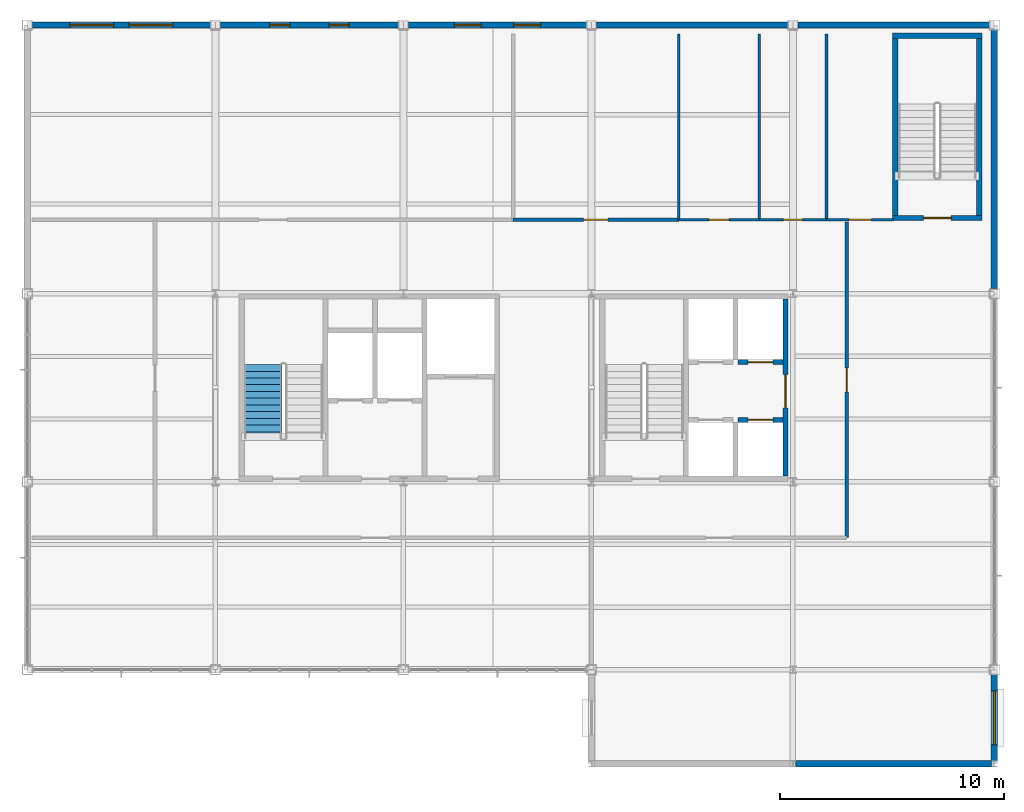
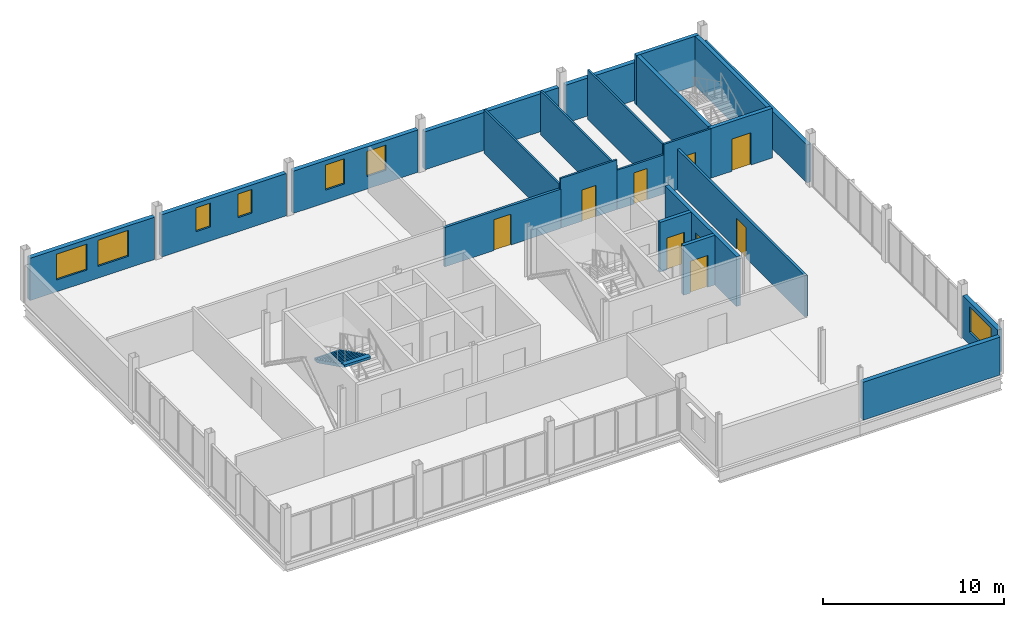
# One storey, part 13 of 16: 23 walls, 9 doors, 7 windows, 1 stair flight, 16 openings, 1 element without a shape of its own.
"""IFC4 building model written with IfcOpenShell, lengths in metres."""

from ifc_helpers import new_model, si_unit, direction, frame, frame_2d, origin, place, context, subcontext, project, spatial, polyline, rectangle, outline, extrude, material, layer, layer_set, type_object, element, fill, aggregate, save


model = new_model("IFC4")

# Units and contexts
model_context = context("Model", 3, precision=1e-05, world=origin(), true_north=direction((0.0, 1.0)))
body_context = subcontext(model_context, "Body", "Model", "MODEL_VIEW")
ifc_project = project(units=[si_unit("LENGTHUNIT", "METRE"), si_unit("AREAUNIT", "SQUARE_METRE"), si_unit("VOLUMEUNIT", "CUBIC_METRE"), si_unit("PLANEANGLEUNIT", "RADIAN"), si_unit("MASSUNIT", "GRAM", prefix="KILO")], contexts=[model_context])

# Site, building, storey
site_placement = place(None, origin())
site = spatial("IfcSite", under=ifc_project, at=site_placement, CompositionType="ELEMENT")
building_placement = place(site_placement, origin())
building = spatial("IfcBuilding", under=site, at=building_placement, Name="Yukiwa Park Conservatory and Herbarium", CompositionType="ELEMENT")
storey_placement = place(building_placement, frame((0.0, 0.0, 43.199951171875)))
storey = spatial("IfcBuildingStorey", under=building, at=storey_placement, Name="L11", CompositionType="ELEMENT", Elevation=43.199951171875)

# Wall, opening, door
ifc_material_1 = material(Name="Concrete C40", Category="concrete")
ifc_layer_1 = layer(ifc_material_1, 0.219970703125)
ifc_layer_set_1 = layer_set([ifc_layer_1], Name="Concrete C40")
wall_type_1 = type_object("IfcWallType", Name="WL-CORE-RC220", PredefinedType="SHEAR", material=ifc_layer_set_1)
wall_1_placement = place(storey_placement, frame((156.550048828125, 100.139892578125, 0.0), z_axis=(0.0, 0.0, 1.0), x_axis=(1.0, 0.0, 0.0)))
wall_1 = element("IfcWall", 1, at=wall_1_placement, inside=storey, type_object=wall_type_1, Name="L11 core shear wall 680", PredefinedType="SHEAR", context=body_context, shape_type="SweptSolid", body=[
    extrude(rectangle(XDim=2.0, YDim=0.219970703125, at=frame_2d((1.0, 0.0))), origin(), (0.0, 0.0, 1.0), 3.35400390625),
])
opening_1_placement = place(wall_1_placement, frame((0.449951171875, 0.0, 0.0)))
opening_1 = element("IfcOpeningElement", 2, at=opening_1_placement, cuts=wall_1, Name="Opening LD-01", PredefinedType="OPENING", context=body_context, shape_type="SweptSolid", body=[
    extrude(rectangle(XDim=1.10009765625, YDim=2.14990234375, at=frame_2d((0.550048828125, 1.074951171875))), frame((0.0, 0.1201171875, 0.0), z_axis=(0.0, -1.0, 0.0), x_axis=(1.0, 0.0, 0.0)), (0.0, 0.0, 1.0), 0.239990234375),
])
ifc_material_2 = material(Name="Steel Q235B", Category="steel")
door_type_1 = type_object("IfcDoorType", Name="DR-LIFT-LD1100", OperationType="SLIDING_TO_LEFT", PredefinedType="DOOR", material=ifc_material_2)
door_1_placement = place(opening_1_placement, origin())
door_1 = element("IfcDoor", 3, at=door_1_placement, inside=storey, type_object=door_type_1, Name="L11 Passenger Lift LP2 sliding landing door", OperationType="SLIDING_TO_LEFT", OverallHeight=2.14990234375, OverallWidth=1.10009765625, PredefinedType="DOOR", context=body_context, shape_type="SweptSolid", body=[
    extrude(rectangle(XDim=1.10009765625, YDim=2.14990234375, at=frame_2d((0.550048828125, 1.074951171875))), frame((0.0, 0.02490234375, 0.0), z_axis=(0.0, -1.0, 0.0), x_axis=(1.0, 0.0, 0.0)), (0.0, 0.0, 1.0), 0.050048828125),
])
fill(opening_1, door_1)

wall_2_placement = place(storey_placement, frame((156.550048828125, 97.56005859375, 0.0), z_axis=(0.0, 0.0, 1.0), x_axis=(1.0, 0.0, 0.0)))
wall_2 = element("IfcWall", 4, at=wall_2_placement, inside=storey, type_object=wall_type_1, Name="L11 core shear wall 683", PredefinedType="SHEAR", context=body_context, shape_type="SweptSolid", body=[
    extrude(rectangle(XDim=2.0, YDim=0.219970703125, at=frame_2d((1.0, 0.0))), origin(), (0.0, 0.0, 1.0), 3.35400390625),
])
opening_2_placement = place(wall_2_placement, frame((0.449951171875, 0.0, 0.0)))
opening_2 = element("IfcOpeningElement", 5, at=opening_2_placement, cuts=wall_2, Name="Opening LD-01", PredefinedType="OPENING", context=body_context, shape_type="SweptSolid", body=[
    extrude(rectangle(XDim=1.10009765625, YDim=2.14990234375, at=frame_2d((0.550048828125, 1.074951171875))), frame((0.0, 0.1201171875, 0.0), z_axis=(0.0, -1.0, 0.0), x_axis=(1.0, 0.0, 0.0)), (0.0, 0.0, 1.0), 0.239990234375),
])
door_2_placement = place(opening_2_placement, origin())
door_2 = element("IfcDoor", 6, at=door_2_placement, inside=storey, type_object=door_type_1, Name="L11 Passenger Lift LP4 sliding landing door", OperationType="SLIDING_TO_LEFT", OverallHeight=2.14990234375, OverallWidth=1.10009765625, PredefinedType="DOOR", context=body_context, shape_type="SweptSolid", body=[
    extrude(rectangle(XDim=1.10009765625, YDim=2.14990234375, at=frame_2d((0.550048828125, 1.074951171875))), frame((0.0, 0.02490234375, 0.0), z_axis=(0.0, -1.0, 0.0), x_axis=(1.0, 0.0, 0.0)), (0.0, 0.0, 1.0), 0.050048828125),
])
fill(opening_2, door_2)

ifc_material_3 = material(Name="Concrete C50", Category="concrete")
ifc_layer_2 = layer(ifc_material_3, 0.239990234375)
ifc_layer_set_2 = layer_set([ifc_layer_2], Name="Concrete C50")
wall_type_2 = type_object("IfcWallType", Name="WL-CORE-RC240", PredefinedType="SHEAR", material=ifc_layer_set_2)
wall_3_placement = place(storey_placement, frame((158.669921875, 95.050048828125, 0.0), z_axis=(0.0, 0.0, 1.0), x_axis=(0.0, 1.0, 0.0)))
wall_3 = element("IfcWall", 7, at=wall_3_placement, inside=storey, type_object=wall_type_2, Name="L11 core shear wall 677", PredefinedType="SHEAR", context=body_context, shape_type="SweptSolid", body=[
    extrude(rectangle(XDim=7.89990234375, YDim=0.239990234375, at=frame_2d((3.949951171875, 0.0))), origin(), (0.0, 0.0, 1.0), 3.35400390625),
])
opening_3_placement = place(wall_3_placement, frame((3.050048828125, 0.0, 0.0)))
opening_3 = element("IfcOpeningElement", 8, at=opening_3_placement, cuts=wall_3, Name="Opening FD-07", PredefinedType="OPENING", context=body_context, shape_type="SweptSolid", body=[
    extrude(rectangle(XDim=1.47998046875, YDim=2.219970703125, at=frame_2d((0.739990234375, 1.10986328125))), frame((0.0, 0.1298828125, 0.0), z_axis=(0.0, -1.0, 0.0), x_axis=(1.0, 0.0, 0.0)), (0.0, 0.0, 1.0), 0.260009765625),
])
ifc_material_4 = material(Name="Steel Q235B", Category="steel")
door_type_2 = type_object("IfcDoorType", Name="DR-FIRE-FD60-1500", OperationType="DOUBLE_DOOR_SINGLE_SWING", PredefinedType="DOOR", material=ifc_material_4)
door_3_placement = place(opening_3_placement, origin())
door_3 = element("IfcDoor", 9, at=door_3_placement, inside=storey, type_object=door_type_2, Name="L11 Tower Passenger Lift Lobby double fire door", OperationType="DOUBLE_DOOR_SINGLE_SWING", OverallHeight=2.219970703125, OverallWidth=1.47998046875, PredefinedType="DOOR", context=body_context, shape_type="SweptSolid", body=[
    extrude(rectangle(XDim=1.47998046875, YDim=2.219970703125, at=frame_2d((0.739990234375, 1.10986328125))), frame((0.0, 0.02490234375, 0.0), z_axis=(0.0, -1.0, 0.0), x_axis=(1.0, 0.0, 0.0)), (0.0, 0.0, 1.0), 0.050048828125),
])
fill(opening_3, door_3)

wall_4_placement = place(storey_placement, frame((163.449951171875, 106.580078125, 0.0), z_axis=(0.0, 0.0, 1.0), x_axis=(1.0, 0.0, 0.0)))
wall_4 = element("IfcWall", 10, at=wall_4_placement, inside=storey, type_object=wall_type_2, Name="L11 core shear wall 684", PredefinedType="SHEAR", context=body_context, shape_type="SweptSolid", body=[
    extrude(rectangle(XDim=3.989990234375, YDim=0.239990234375, at=frame_2d((1.9951171875, 0.0))), origin(), (0.0, 0.0, 1.0), 3.35400390625),
])
opening_4_placement = place(wall_4_placement, frame((1.39501953125, 0.0, 0.0)))
opening_4 = element("IfcOpeningElement", 11, at=opening_4_placement, cuts=wall_4, Name="Opening SD-01", PredefinedType="OPENING", context=body_context, shape_type="SweptSolid", body=[
    extrude(rectangle(XDim=1.219970703125, YDim=2.179931640625, at=frame_2d((0.60986328125, 1.08984375))), frame((0.0, 0.1298828125, 0.0), z_axis=(0.0, -1.0, 0.0), x_axis=(1.0, 0.0, 0.0)), (0.0, 0.0, 1.0), 0.260009765625),
])
ifc_material_5 = material(Name="Steel Q235B", Category="steel")
door_type_3 = type_object("IfcDoorType", Name="DR-STAIR-FD90-1200", OperationType="SINGLE_SWING_LEFT", PredefinedType="DOOR", material=ifc_material_5)
door_4_placement = place(opening_4_placement, origin())
door_4 = element("IfcDoor", 12, at=door_4_placement, inside=storey, type_object=door_type_3, Name="L11 Stairwell ST-T3 fire door", OperationType="SINGLE_SWING_LEFT", OverallHeight=2.179931640625, OverallWidth=1.219970703125, PredefinedType="DOOR", context=body_context, shape_type="SweptSolid", body=[
    extrude(rectangle(XDim=1.219970703125, YDim=2.179931640625, at=frame_2d((0.60986328125, 1.08984375))), frame((0.0, 0.02490234375, 0.0), z_axis=(0.0, -1.0, 0.0), x_axis=(1.0, 0.0, 0.0)), (0.0, 0.0, 1.0), 0.050048828125),
])
fill(opening_4, door_4)

# Walls
wall_5_placement = place(storey_placement, frame((163.449951171875, 114.719970703125, 0.0), z_axis=(0.0, 0.0, 1.0), x_axis=(1.0, 0.0, 0.0)))
element("IfcWall", 13, at=wall_5_placement, inside=storey, type_object=wall_type_2, Name="L11 core shear wall 685", PredefinedType="SHEAR", context=body_context, shape_type="SweptSolid", body=[
    extrude(rectangle(XDim=3.989990234375, YDim=0.239990234375, at=frame_2d((1.9951171875, 0.0))), origin(), (0.0, 0.0, 1.0), 3.35400390625),
])
for number, where, z_axis, x_axis, name in (
    (14, (163.570068359375, 106.699951171875, 0.0), (0.0, 0.0, 1.0), (0.0, 1.0, 0.0), "L11 core shear wall 686"),
    (15, (167.320068359375, 106.699951171875, 0.0), (0.0, 0.0, 1.0), (0.0, 1.0, 0.0), "L11 core shear wall 687"),
):
    element("IfcWall", number, at=place(storey_placement, frame(where, z_axis=z_axis, x_axis=x_axis)), inside=storey, type_object=wall_type_2, Name=name, PredefinedType="SHEAR", context=body_context, shape_type="SweptSolid", body=[
        extrude(rectangle(XDim=7.900146484375, YDim=0.239990234375, at=frame_2d((3.9501953125, 0.0))), origin(), (0.0, 0.0, 1.0), 3.35400390625),
    ])

# Wall, opening, window
ifc_material_6 = material(Name="Pale Granite Cladding", Category="masonry")
ifc_layer_3 = layer(ifc_material_6, 0.280029296875)
ifc_layer_set_3 = layer_set([ifc_layer_3], Name="Pale Granite Cladding")
wall_type_3 = type_object("IfcWallType", Name="WL-EXT-GRAN-280", PredefinedType="SOLIDWALL", material=ifc_layer_set_3)
wall_6_placement = place(storey_placement, frame((168.0, 82.324951171875, 0.0), z_axis=(0.0, 0.0, 1.0), x_axis=(0.0, 1.0, 0.0)))
wall_6 = element("IfcWall", 16, at=wall_6_placement, inside=storey, type_object=wall_type_3, Name="L11 exterior envelope wall 359", PredefinedType="SOLIDWALL", context=body_context, shape_type="SweptSolid", body=[
    extrude(rectangle(XDim=3.85009765625, YDim=0.280029296875, at=frame_2d((1.925048828125, 0.0))), origin(), (0.0, 0.0, 1.0), 2.860107421875),
])
opening_5_placement = place(wall_6_placement, frame((0.72509765625, 0.0, 0.85009765625)))
opening_5 = element("IfcOpeningElement", 17, at=opening_5_placement, cuts=wall_6, Name="Opening W-09", PredefinedType="OPENING", context=body_context, shape_type="SweptSolid", body=[
    extrude(rectangle(XDim=2.39990234375, YDim=1.7099609375, at=frame_2d((1.199951171875, 0.85498046875))), frame((0.0, 0.14990234375, 0.0), z_axis=(0.0, -1.0, 0.0), x_axis=(1.0, 0.0, 0.0)), (0.0, 0.0, 1.0), 0.300048828125),
])
ifc_material_7 = material(Name="Triple Low-E Insulated Glass", Category="glass")
window_type_1 = type_object("IfcWindowType", Name="WN-TW-2400X2100", PartitioningType="SINGLE_PANEL", PredefinedType="WINDOW", material=ifc_material_7)
window_1_placement = place(opening_5_placement, origin())
window_1 = element("IfcWindow", 18, at=window_1_placement, inside=storey, type_object=window_type_1, Name="L11 deep-reveal triple-glazed window 275", OverallHeight=1.7099609375, OverallWidth=2.39990234375, PartitioningType="SINGLE_PANEL", PredefinedType="WINDOW", context=body_context, shape_type="SweptSolid", body=[
    extrude(rectangle(XDim=2.39990234375, YDim=1.7099609375, at=frame_2d((1.199951171875, 0.85498046875))), frame((0.0, 0.030029296875, 0.0), z_axis=(0.0, -1.0, 0.0), x_axis=(1.0, 0.0, 0.0)), (0.0, 0.0, 1.0), 0.06005859375),
])
fill(opening_5, window_1)

# Walls
wall_7_placement = place(storey_placement, frame((168.0, 103.425048828125, 0.0), z_axis=(0.0, 0.0, 1.0), x_axis=(0.0, 1.0, 0.0)))
element("IfcWall", 19, at=wall_7_placement, inside=storey, type_object=wall_type_3, Name="L11 exterior envelope wall 360", PredefinedType="SOLIDWALL", context=body_context, shape_type="SweptSolid", body=[
    extrude(rectangle(XDim=11.550048828125, YDim=0.280029296875, at=frame_2d((5.77490234375, 0.0))), origin(), (0.0, 0.0, 1.0), 2.56201171875),
])
for number, where, z_axis, x_axis, name in (
    (20, (167.77490234375, 115.199951171875, 0.0), (0.0, 0.0, 1.0), (-1.0, 0.0, 0.0), "L11 exterior envelope wall 361"),
    (21, (158.77490234375, 115.199951171875, 0.0), (0.0, 0.0, 1.0), (-1.0, 0.0, 0.0), "L11 exterior envelope wall 362"),
):
    element("IfcWall", number, at=place(storey_placement, frame(where, z_axis=z_axis, x_axis=x_axis)), inside=storey, type_object=wall_type_3, Name=name, PredefinedType="SOLIDWALL", context=body_context, shape_type="SweptSolid", body=[
        extrude(rectangle(XDim=8.5498046875, YDim=0.280029296875, at=frame_2d((4.27490234375, 0.0))), origin(), (0.0, 0.0, 1.0), 2.56201171875),
    ])

# Wall, openings, windows
wall_8_placement = place(storey_placement, frame((149.77490234375, 115.199951171875, 0.0), z_axis=(0.0, 0.0, 1.0), x_axis=(-1.0, 0.0, 0.0)))
wall_8 = element("IfcWall", 22, at=wall_8_placement, inside=storey, type_object=wall_type_3, Name="L11 exterior envelope wall 363", PredefinedType="SOLIDWALL", context=body_context, shape_type="SweptSolid", body=[
    extrude(rectangle(XDim=7.949951171875, YDim=0.280029296875, at=frame_2d((3.97509765625, 0.0))), origin(), (0.0, 0.0, 1.0), 2.85400390625),
])
opening_6_placement = place(wall_8_placement, frame((2.050048828125, 0.0, 0.85009765625)))
opening_6 = element("IfcOpeningElement", 23, at=opening_6_placement, cuts=wall_8, Name="Opening W-03", PredefinedType="OPENING", context=body_context, shape_type="SweptSolid", body=[
    extrude(rectangle(XDim=1.199951171875, YDim=1.699951171875, at=frame_2d((0.60009765625, 0.85009765625))), frame((0.0, 0.14990234375, 0.0), z_axis=(0.0, -1.0, 0.0), x_axis=(1.0, 0.0, 0.0)), (0.0, 0.0, 1.0), 0.300048828125),
])
opening_7_placement = place(wall_8_placement, frame((4.699951171875, 0.0, 0.85009765625)))
opening_7 = element("IfcOpeningElement", 24, at=opening_7_placement, cuts=wall_8, Name="Opening W-03", PredefinedType="OPENING", context=body_context, shape_type="SweptSolid", body=[
    extrude(rectangle(XDim=1.199951171875, YDim=1.699951171875, at=frame_2d((0.60009765625, 0.85009765625))), frame((0.0, 0.14990234375, 0.0), z_axis=(0.0, -1.0, 0.0), x_axis=(1.0, 0.0, 0.0)), (0.0, 0.0, 1.0), 0.300048828125),
])
ifc_material_8 = material(Name="Triple Low-E Insulated Glass", Category="glass")
window_type_2 = type_object("IfcWindowType", Name="WN-TW-1200X2100", PartitioningType="SINGLE_PANEL", PredefinedType="WINDOW", material=ifc_material_8)
window_2_placement = place(opening_6_placement, origin())
window_2 = element("IfcWindow", 25, at=window_2_placement, inside=storey, type_object=window_type_2, Name="L11 deep-reveal triple-glazed window 276", OverallHeight=1.699951171875, OverallWidth=1.199951171875, PartitioningType="SINGLE_PANEL", PredefinedType="WINDOW", context=body_context, shape_type="SweptSolid", body=[
    extrude(rectangle(XDim=1.199951171875, YDim=1.699951171875, at=frame_2d((0.60009765625, 0.85009765625))), frame((0.0, 0.030029296875, 0.0), z_axis=(0.0, -1.0, 0.0), x_axis=(1.0, 0.0, 0.0)), (0.0, 0.0, 1.0), 0.06005859375),
])
fill(opening_6, window_2)
window_3_placement = place(opening_7_placement, origin())
window_3 = element("IfcWindow", 26, at=window_3_placement, inside=storey, type_object=window_type_2, Name="L11 deep-reveal triple-glazed window 277", OverallHeight=1.699951171875, OverallWidth=1.199951171875, PartitioningType="SINGLE_PANEL", PredefinedType="WINDOW", context=body_context, shape_type="SweptSolid", body=[
    extrude(rectangle(XDim=1.199951171875, YDim=1.699951171875, at=frame_2d((0.60009765625, 0.85009765625))), frame((0.0, 0.030029296875, 0.0), z_axis=(0.0, -1.0, 0.0), x_axis=(1.0, 0.0, 0.0)), (0.0, 0.0, 1.0), 0.06005859375),
])
fill(opening_7, window_3)

wall_9_placement = place(storey_placement, frame((141.375, 115.199951171875, 0.0), z_axis=(0.0, 0.0, 1.0), x_axis=(-1.0, 0.0, 0.0)))
wall_9 = element("IfcWall", 27, at=wall_9_placement, inside=storey, type_object=wall_type_3, Name="L11 exterior envelope wall 364", PredefinedType="SOLIDWALL", context=body_context, shape_type="SweptSolid", body=[
    extrude(rectangle(XDim=7.949951171875, YDim=0.280029296875, at=frame_2d((3.97509765625, 0.0))), origin(), (0.0, 0.0, 1.0), 2.85400390625),
])
opening_8_placement = place(wall_9_placement, frame((2.199951171875, 0.0, 0.949951171875)))
opening_8 = element("IfcOpeningElement", 28, at=opening_8_placement, cuts=wall_9, Name="Opening W-01", PredefinedType="OPENING", context=body_context, shape_type="SweptSolid", body=[
    extrude(rectangle(XDim=0.89990234375, YDim=1.60009765625, at=frame_2d((0.449951171875, 0.800048828125))), frame((0.0, 0.14990234375, 0.0), z_axis=(0.0, -1.0, 0.0), x_axis=(1.0, 0.0, 0.0)), (0.0, 0.0, 1.0), 0.300048828125),
])
opening_9_placement = place(wall_9_placement, frame((4.85009765625, 0.0, 0.949951171875)))
opening_9 = element("IfcOpeningElement", 29, at=opening_9_placement, cuts=wall_9, Name="Opening W-01", PredefinedType="OPENING", context=body_context, shape_type="SweptSolid", body=[
    extrude(rectangle(XDim=0.89990234375, YDim=1.60009765625, at=frame_2d((0.449951171875, 0.800048828125))), frame((0.0, 0.14990234375, 0.0), z_axis=(0.0, -1.0, 0.0), x_axis=(1.0, 0.0, 0.0)), (0.0, 0.0, 1.0), 0.300048828125),
])
ifc_material_9 = material(Name="Triple Low-E Insulated Glass", Category="glass")
window_type_3 = type_object("IfcWindowType", Name="WN-TW-0900X1800", PartitioningType="SINGLE_PANEL", PredefinedType="WINDOW", material=ifc_material_9)
window_4_placement = place(opening_8_placement, origin())
window_4 = element("IfcWindow", 30, at=window_4_placement, inside=storey, type_object=window_type_3, Name="L11 deep-reveal triple-glazed window 278", OverallHeight=1.60009765625, OverallWidth=0.89990234375, PartitioningType="SINGLE_PANEL", PredefinedType="WINDOW", context=body_context, shape_type="SweptSolid", body=[
    extrude(rectangle(XDim=0.89990234375, YDim=1.60009765625, at=frame_2d((0.449951171875, 0.800048828125))), frame((0.0, 0.030029296875, 0.0), z_axis=(0.0, -1.0, 0.0), x_axis=(1.0, 0.0, 0.0)), (0.0, 0.0, 1.0), 0.06005859375),
])
fill(opening_8, window_4)
window_5_placement = place(opening_9_placement, origin())
window_5 = element("IfcWindow", 31, at=window_5_placement, inside=storey, type_object=window_type_3, Name="L11 deep-reveal triple-glazed window 279", OverallHeight=1.60009765625, OverallWidth=0.89990234375, PartitioningType="SINGLE_PANEL", PredefinedType="WINDOW", context=body_context, shape_type="SweptSolid", body=[
    extrude(rectangle(XDim=0.89990234375, YDim=1.60009765625, at=frame_2d((0.449951171875, 0.800048828125))), frame((0.0, 0.030029296875, 0.0), z_axis=(0.0, -1.0, 0.0), x_axis=(1.0, 0.0, 0.0)), (0.0, 0.0, 1.0), 0.06005859375),
])
fill(opening_9, window_5)

wall_10_placement = place(storey_placement, frame((132.97509765625, 115.199951171875, 0.0), z_axis=(0.0, 0.0, 1.0), x_axis=(-1.0, 0.0, 0.0)))
wall_10 = element("IfcWall", 32, at=wall_10_placement, inside=storey, type_object=wall_type_3, Name="L11 exterior envelope wall 365", PredefinedType="SOLIDWALL", context=body_context, shape_type="SweptSolid", body=[
    extrude(rectangle(XDim=7.9501953125, YDim=0.280029296875, at=frame_2d((3.97509765625, 0.0))), origin(), (0.0, 0.0, 1.0), 2.85400390625),
])
opening_10_placement = place(wall_10_placement, frame((1.675048828125, 0.0, 0.800048828125)))
opening_10 = element("IfcOpeningElement", 33, at=opening_10_placement, cuts=wall_10, Name="Opening W-25", PredefinedType="OPENING", context=body_context, shape_type="SweptSolid", body=[
    extrude(rectangle(XDim=1.949951171875, YDim=1.75, at=frame_2d((0.97509765625, 0.875))), frame((0.0, 0.14990234375, 0.0), z_axis=(0.0, -1.0, 0.0), x_axis=(1.0, 0.0, 0.0)), (0.0, 0.0, 1.0), 0.300048828125),
])
opening_11_placement = place(wall_10_placement, frame((4.324951171875, 0.0, 0.800048828125)))
opening_11 = element("IfcOpeningElement", 34, at=opening_11_placement, cuts=wall_10, Name="Opening W-25", PredefinedType="OPENING", context=body_context, shape_type="SweptSolid", body=[
    extrude(rectangle(XDim=1.949951171875, YDim=1.75, at=frame_2d((0.97509765625, 0.875))), frame((0.0, 0.14990234375, 0.0), z_axis=(0.0, -1.0, 0.0), x_axis=(1.0, 0.0, 0.0)), (0.0, 0.0, 1.0), 0.300048828125),
])
ifc_material_10 = material(Name="Triple Low-E Insulated Glass", Category="glass")
window_type_4 = type_object("IfcWindowType", Name="WN-TW-1950X2150", PartitioningType="SINGLE_PANEL", PredefinedType="WINDOW", material=ifc_material_10)
window_6_placement = place(opening_10_placement, origin())
window_6 = element("IfcWindow", 35, at=window_6_placement, inside=storey, type_object=window_type_4, Name="L11 deep-reveal triple-glazed window 280", OverallHeight=1.75, OverallWidth=1.949951171875, PartitioningType="SINGLE_PANEL", PredefinedType="WINDOW", context=body_context, shape_type="SweptSolid", body=[
    extrude(rectangle(XDim=1.949951171875, YDim=1.75, at=frame_2d((0.97509765625, 0.875))), frame((0.0, 0.030029296875, 0.0), z_axis=(0.0, -1.0, 0.0), x_axis=(1.0, 0.0, 0.0)), (0.0, 0.0, 1.0), 0.06005859375),
])
fill(opening_10, window_6)
window_7_placement = place(opening_11_placement, origin())
window_7 = element("IfcWindow", 36, at=window_7_placement, inside=storey, type_object=window_type_4, Name="L11 deep-reveal triple-glazed window 281", OverallHeight=1.75, OverallWidth=1.949951171875, PartitioningType="SINGLE_PANEL", PredefinedType="WINDOW", context=body_context, shape_type="SweptSolid", body=[
    extrude(rectangle(XDim=1.949951171875, YDim=1.75, at=frame_2d((0.97509765625, 0.875))), frame((0.0, 0.030029296875, 0.0), z_axis=(0.0, -1.0, 0.0), x_axis=(1.0, 0.0, 0.0)), (0.0, 0.0, 1.0), 0.06005859375),
])
fill(opening_11, window_7)

# Wall
wall_11_placement = place(storey_placement, frame((159.125, 82.199951171875, 0.0), z_axis=(0.0, 0.0, 1.0), x_axis=(1.0, 0.0, 0.0)))
element("IfcWall", 37, at=wall_11_placement, inside=storey, type_object=wall_type_3, Name="L11 exterior envelope wall 369", PredefinedType="SOLIDWALL", context=body_context, shape_type="SweptSolid", body=[
    extrude(rectangle(XDim=8.75, YDim=0.280029296875, at=frame_2d((4.375, 0.0))), origin(), (0.0, 0.0, 1.0), 2.56201171875),
])

# Wall, opening, door
ifc_material_11 = material(Name="Gypsum Board Partition", Category="gypsum")
ifc_layer_4 = layer(ifc_material_11, 0.159912109375)
ifc_layer_set_4 = layer_set([ifc_layer_4], Name="Gypsum Board Partition")
wall_type_4 = type_object("IfcWallType", Name="WL-PART-GYP-160", PredefinedType="PARTITIONING", material=ifc_layer_set_4)
wall_12_placement = place(storey_placement, frame((161.39990234375, 92.300048828125, 0.0), z_axis=(0.0, 0.0, 1.0), x_axis=(0.0, 1.0, 0.0)))
wall_12 = element("IfcWall", 38, at=wall_12_placement, inside=storey, type_object=wall_type_4, Name="L11 interior partition wall 694", PredefinedType="PARTITIONING", context=body_context, shape_type="SweptSolid", body=[
    extrude(rectangle(XDim=14.099853515625, YDim=0.159912109375, at=frame_2d((7.0498046875, 0.0))), origin(), (0.0, 0.0, 1.0), 2.758056640625),
])
opening_12_placement = place(wall_12_placement, frame((6.5, 0.0, 0.0)))
opening_12 = element("IfcOpeningElement", 39, at=opening_12_placement, cuts=wall_12, Name="Opening ID-11", PredefinedType="OPENING", context=body_context, shape_type="SweptSolid", body=[
    extrude(rectangle(XDim=1.080078125, YDim=2.080078125, at=frame_2d((0.5400390625, 1.0400390625))), frame((0.0, 0.08984375, 0.0), z_axis=(0.0, -1.0, 0.0), x_axis=(1.0, 0.0, 0.0)), (0.0, 0.0, 1.0), 0.179931640625),
])
ifc_material_12 = material(Name="Charred Larch Cladding", Category="wood")
door_type_4 = type_object("IfcDoorType", Name="DR-INT-1100", OperationType="SINGLE_SWING_RIGHT", PredefinedType="DOOR", material=ifc_material_12)
door_5_placement = place(opening_12_placement, origin())
door_5 = element("IfcDoor", 40, at=door_5_placement, inside=storey, type_object=door_type_4, Name="L11 L11 east room door", OperationType="SINGLE_SWING_RIGHT", OverallHeight=2.080078125, OverallWidth=1.080078125, PredefinedType="DOOR", context=body_context, shape_type="SweptSolid", body=[
    extrude(rectangle(XDim=1.080078125, YDim=2.080078125, at=frame_2d((0.5400390625, 1.0400390625))), frame((0.0, 0.02490234375, 0.0), z_axis=(0.0, -1.0, 0.0), x_axis=(1.0, 0.0, 0.0)), (0.0, 0.0, 1.0), 0.050048828125),
])
fill(opening_12, door_5)

wall_13_placement = place(storey_placement, frame((146.5, 106.5, 0.0), z_axis=(0.0, 0.0, 1.0), x_axis=(1.0, 0.0, 0.0)))
wall_13 = element("IfcWall", 41, at=wall_13_placement, inside=storey, type_object=wall_type_4, Name="L11 interior partition wall 701", PredefinedType="PARTITIONING", context=body_context, shape_type="SweptSolid", body=[
    extrude(rectangle(XDim=7.39990234375, YDim=0.159912109375, at=frame_2d((3.699951171875, 0.0))), origin(), (0.0, 0.0, 1.0), 2.654052734375),
])
opening_13_placement = place(wall_13_placement, frame((3.14990234375, 0.0, 0.0)))
opening_13 = element("IfcOpeningElement", 42, at=opening_13_placement, cuts=wall_13, Name="Opening ID-11", PredefinedType="OPENING", context=body_context, shape_type="SweptSolid", body=[
    extrude(rectangle(XDim=1.080078125, YDim=2.080078125, at=frame_2d((0.5400390625, 1.0400390625))), frame((0.0, 0.08984375, 0.0), z_axis=(0.0, -1.0, 0.0), x_axis=(1.0, 0.0, 0.0)), (0.0, 0.0, 1.0), 0.179931640625),
])
door_6_placement = place(opening_13_placement, origin())
door_6 = element("IfcDoor", 43, at=door_6_placement, inside=storey, type_object=door_type_4, Name="L11 GIS Office door", OperationType="SINGLE_SWING_RIGHT", OverallHeight=2.080078125, OverallWidth=1.080078125, PredefinedType="DOOR", context=body_context, shape_type="SweptSolid", body=[
    extrude(rectangle(XDim=1.080078125, YDim=2.080078125, at=frame_2d((0.5400390625, 1.0400390625))), frame((0.0, 0.02490234375, 0.0), z_axis=(0.0, -1.0, 0.0), x_axis=(1.0, 0.0, 0.0)), (0.0, 0.0, 1.0), 0.050048828125),
])
fill(opening_13, door_6)

ifc_material_13 = material(Name="Gypsum Board Partition", Category="gypsum")
ifc_layer_5 = layer(ifc_material_13, 0.1201171875)
ifc_layer_set_5 = layer_set([ifc_layer_5], Name="Gypsum Board Partition")
wall_type_5 = type_object("IfcWallType", Name="WL-PART-WET-150", PredefinedType="PARTITIONING", material=ifc_layer_set_5)
wall_14_placement = place(storey_placement, frame((153.89990234375, 106.5, 0.0), z_axis=(0.0, 0.0, 1.0), x_axis=(1.0, 0.0, 0.0)))
wall_14 = element("IfcWall", 44, at=wall_14_placement, inside=storey, type_object=wall_type_5, Name="L11 interior partition wall 688", PredefinedType="PARTITIONING", context=body_context, shape_type="SweptSolid", body=[
    extrude(rectangle(XDim=3.60009765625, YDim=0.1201171875, at=frame_2d((1.800048828125, 0.0))), origin(), (0.0, 0.0, 1.0), 3.35400390625),
])
opening_14_placement = place(wall_14_placement, frame((1.35009765625, 0.0, 0.0)))
opening_14 = element("IfcOpeningElement", 45, at=opening_14_placement, cuts=wall_14, Name="Opening ID-09", PredefinedType="OPENING", context=body_context, shape_type="SweptSolid", body=[
    extrude(rectangle(XDim=0.89990234375, YDim=2.10009765625, at=frame_2d((0.449951171875, 1.050048828125))), frame((0.0, 0.070068359375, 0.0), z_axis=(0.0, -1.0, 0.0), x_axis=(1.0, 0.0, 0.0)), (0.0, 0.0, 1.0), 0.14013671875),
])
ifc_material_14 = material(Name="Charred Larch Cladding", Category="wood")
door_type_5 = type_object("IfcDoorType", Name="DR-INT-900", OperationType="SINGLE_SWING_LEFT", PredefinedType="DOOR", material=ifc_material_14)
door_7_placement = place(opening_14_placement, origin())
door_7 = element("IfcDoor", 46, at=door_7_placement, inside=storey, type_object=door_type_5, Name="L11 Public WC door", OperationType="SINGLE_SWING_LEFT", OverallHeight=2.10009765625, OverallWidth=0.89990234375, PredefinedType="DOOR", context=body_context, shape_type="SweptSolid", body=[
    extrude(rectangle(XDim=0.89990234375, YDim=2.10009765625, at=frame_2d((0.449951171875, 1.050048828125))), frame((0.0, 0.02490234375, 0.0), z_axis=(0.0, -1.0, 0.0), x_axis=(1.0, 0.0, 0.0)), (0.0, 0.0, 1.0), 0.050048828125),
])
fill(opening_14, door_7)

wall_15_placement = place(storey_placement, frame((157.5, 106.5, 0.0), z_axis=(0.0, 0.0, 1.0), x_axis=(1.0, 0.0, 0.0)))
wall_15 = element("IfcWall", 47, at=wall_15_placement, inside=storey, type_object=wall_type_5, Name="L11 interior partition wall 689", PredefinedType="PARTITIONING", context=body_context, shape_type="SweptSolid", body=[
    extrude(rectangle(XDim=3.0, YDim=0.1201171875, at=frame_2d((1.5, 0.0))), origin(), (0.0, 0.0, 1.0), 2.654052734375),
])
opening_15_placement = place(wall_15_placement, frame((1.074951171875, 0.0, 0.0)))
opening_15 = element("IfcOpeningElement", 48, at=opening_15_placement, cuts=wall_15, Name="Opening ID-85", PredefinedType="OPENING", context=body_context, shape_type="SweptSolid", body=[
    extrude(rectangle(XDim=0.85009765625, YDim=2.10009765625, at=frame_2d((0.425048828125, 1.050048828125))), frame((0.0, 0.070068359375, 0.0), z_axis=(0.0, -1.0, 0.0), x_axis=(1.0, 0.0, 0.0)), (0.0, 0.0, 1.0), 0.14013671875),
])
ifc_material_15 = material(Name="Charred Larch Cladding", Category="wood")
door_type_6 = type_object("IfcDoorType", Name="DR-INT-850", OperationType="SINGLE_SWING_RIGHT", PredefinedType="DOOR", material=ifc_material_15)
door_8_placement = place(opening_15_placement, origin())
door_8 = element("IfcDoor", 49, at=door_8_placement, inside=storey, type_object=door_type_6, Name="L11 Staff WC door", OperationType="SINGLE_SWING_RIGHT", OverallHeight=2.10009765625, OverallWidth=0.85009765625, PredefinedType="DOOR", context=body_context, shape_type="SweptSolid", body=[
    extrude(rectangle(XDim=0.85009765625, YDim=2.10009765625, at=frame_2d((0.425048828125, 1.050048828125))), frame((0.0, 0.02490234375, 0.0), z_axis=(0.0, -1.0, 0.0), x_axis=(1.0, 0.0, 0.0)), (0.0, 0.0, 1.0), 0.050048828125),
])
fill(opening_15, door_8)

wall_16_placement = place(storey_placement, frame((160.5, 106.5, 0.0), z_axis=(0.0, 0.0, 1.0), x_axis=(1.0, 0.0, 0.0)))
wall_16 = element("IfcWall", 50, at=wall_16_placement, inside=storey, type_object=wall_type_5, Name="L11 interior partition wall 690", PredefinedType="PARTITIONING", context=body_context, shape_type="SweptSolid", body=[
    extrude(rectangle(XDim=3.0, YDim=0.1201171875, at=frame_2d((1.5, 0.0))), origin(), (0.0, 0.0, 1.0), 3.35400390625),
])
opening_16_placement = place(wall_16_placement, frame((1.0, 0.0, 0.0)))
opening_16 = element("IfcOpeningElement", 51, at=opening_16_placement, cuts=wall_16, Name="Opening ID-10", PredefinedType="OPENING", context=body_context, shape_type="SweptSolid", body=[
    extrude(rectangle(XDim=1.0, YDim=2.10009765625, at=frame_2d((0.5, 1.050048828125))), frame((0.0, 0.070068359375, 0.0), z_axis=(0.0, -1.0, 0.0), x_axis=(1.0, 0.0, 0.0)), (0.0, 0.0, 1.0), 0.14013671875),
])
ifc_material_16 = material(Name="Charred Larch Cladding", Category="wood")
door_type_7 = type_object("IfcDoorType", Name="DR-ACC-1000", OperationType="SINGLE_SWING_LEFT", PredefinedType="DOOR", material=ifc_material_16)
door_9_placement = place(opening_16_placement, origin())
door_9 = element("IfcDoor", 52, at=door_9_placement, inside=storey, type_object=door_type_7, Name="L11 Accessible WC door", OperationType="SINGLE_SWING_LEFT", OverallHeight=2.10009765625, OverallWidth=1.0, PredefinedType="DOOR", context=body_context, shape_type="SweptSolid", body=[
    extrude(rectangle(XDim=1.0, YDim=2.10009765625, at=frame_2d((0.5, 1.050048828125))), frame((0.0, 0.02490234375, 0.0), z_axis=(0.0, -1.0, 0.0), x_axis=(1.0, 0.0, 0.0)), (0.0, 0.0, 1.0), 0.050048828125),
])
fill(opening_16, door_9)

# Walls
for number, where, z_axis, x_axis, name in (
    (53, (153.89990234375, 106.5, 0.0), (0.0, 0.0, 1.0), (0.0, 1.0, 0.0), "L11 interior partition wall 691"),
    (54, (157.5, 106.5, 0.0), (0.0, 0.0, 1.0), (0.0, 1.0, 0.0), "L11 interior partition wall 692"),
):
    element("IfcWall", number, at=place(storey_placement, frame(where, z_axis=z_axis, x_axis=x_axis)), inside=storey, type_object=wall_type_5, Name=name, PredefinedType="PARTITIONING", context=body_context, shape_type="SweptSolid", body=[
        extrude(rectangle(XDim=8.300048828125, YDim=0.1201171875, at=frame_2d((4.14990234375, 0.0))), origin(), (0.0, 0.0, 1.0), 2.9580078125),
    ])
wall_17_placement = place(storey_placement, frame((160.5, 106.5, 0.0), z_axis=(0.0, 0.0, 1.0), x_axis=(0.0, 1.0, 0.0)))
element("IfcWall", 55, at=wall_17_placement, inside=storey, type_object=wall_type_5, Name="L11 interior partition wall 693", PredefinedType="PARTITIONING", context=body_context, shape_type="SweptSolid", body=[
    extrude(rectangle(XDim=8.300048828125, YDim=0.1201171875, at=frame_2d((4.14990234375, 0.0))), origin(), (0.0, 0.0, 1.0), 3.35400390625),
])

# Stair, stair flight
ifc_material_17 = material(Name="Concrete C40", Category="concrete")
stair_type = type_object("IfcStairType", Name="ST-DOGLEG-ST-T1", PredefinedType="HALF_TURN_STAIR", material=ifc_material_17)
stair_placement = place(storey_placement, origin())
stair = element("IfcStair", 56, at=stair_placement, inside=storey, type_object=stair_type, Name="L11 Protected Smoke-Proof Stair ST-T1", PredefinedType="HALF_TURN_STAIR")
ifc_material_18 = material(Name="Concrete C40", Category="concrete")
stair_flight_type = type_object("IfcStairFlightType", Name="STF-RC-1680", PredefinedType="STRAIGHT", material=ifc_material_18)
stair_flight_placement = place(storey_placement, frame((135.330078125, 100.030029296875, 1.800048828125), z_axis=(0.0, 0.0, 1.0), x_axis=(0.0, -1.0, 0.0)))
stair_flight = element("IfcStairFlight", 57, at=stair_flight_placement, type_object=stair_flight_type, Name="ST-T1 flight 2", NumberOfRisers=12, NumberOfTreads=11, PredefinedType="STRAIGHT", RiserHeight=0.15, TreadLength=0.3, context=body_context, shape_type="SweptSolid", body=[
    extrude(outline(polyline([(0.0, 0.0), (0.0, 0.14990234375), (0.300048828125, 0.14990234375), (0.300048828125, 0.300048828125), (0.60009765625, 0.300048828125), (0.60009765625, 0.449951171875), (0.89990234375, 0.449951171875), (0.89990234375, 0.60009765625), (1.199951171875, 0.60009765625), (1.199951171875, 0.75), (1.5, 0.75), (1.5, 0.89990234375), (1.800048828125, 0.89990234375), (1.800048828125, 1.050048828125), (2.10009765625, 1.050048828125), (2.10009765625, 1.199951171875), (2.39990234375, 1.199951171875), (2.39990234375, 1.35009765625), (2.699951171875, 1.35009765625), (2.699951171875, 1.5), (3.0, 1.5), (3.0, 1.64990234375), (3.300048828125, 1.64990234375), (3.300048828125, 1.800048828125), (3.300048828125, 1.482421875), (0.335205078125, 0.0), (0.0, 0.0)])), frame((0.0, 0.83984375, 0.0), z_axis=(0.0, -1.0, 0.0), x_axis=(1.0, 0.0, 0.0)), (0.0, 0.0, 1.0), 1.679931640625),
])
aggregate(stair, [stair_flight])

save(model, "model.ifc")
